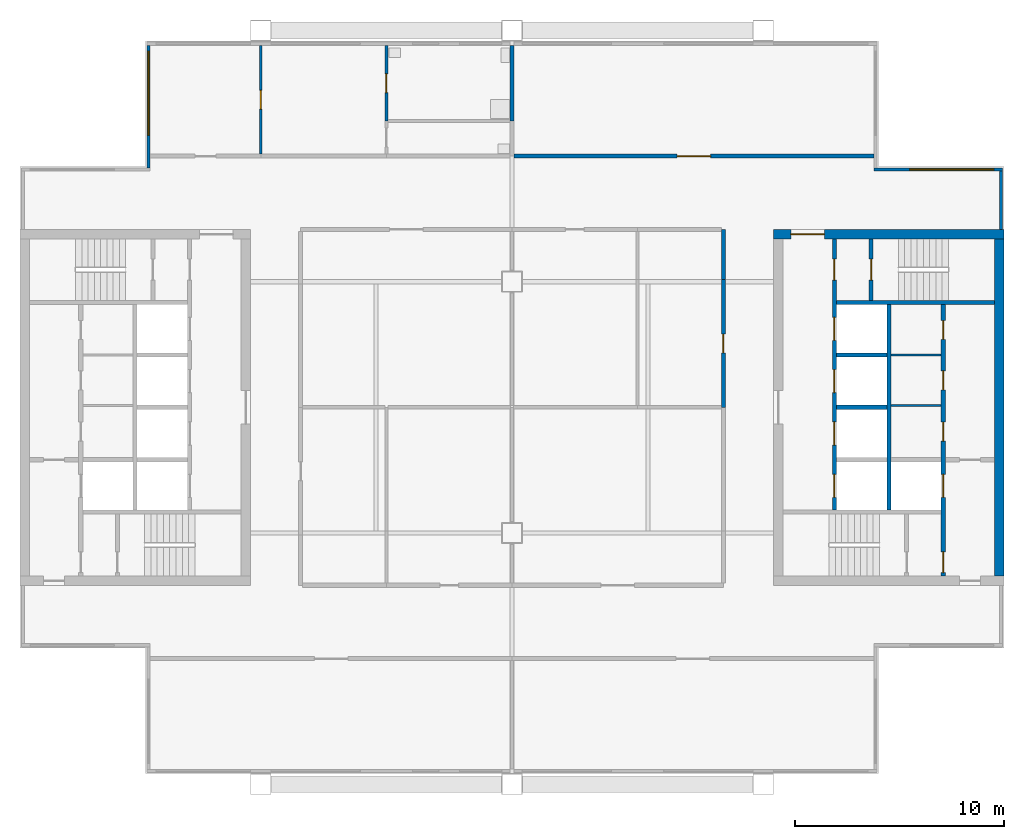
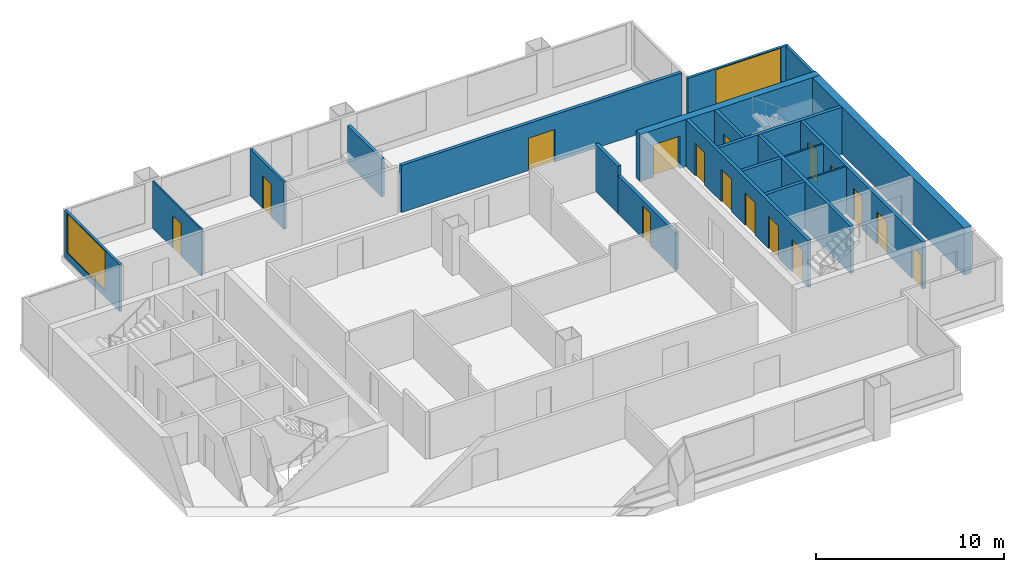
# One storey, part 4 of 7: 20 walls, 16 doors, 2 windows, 18 openings.
"""IFC4 building model written with IfcOpenShell, lengths in metres."""

from ifc_helpers import new_model, si_unit, direction, frame, frame_2d, origin, place, context, subcontext, project, spatial, rectangle, extrude, material, layer, layer_set, type_object, element, fill, save


model = new_model("IFC4")

# Units and contexts
model_context = context("Model", 3, precision=1e-05, world=origin(), true_north=direction((0.0, 1.0)))
body_context = subcontext(model_context, "Body", "Model", "MODEL_VIEW")
ifc_project = project(units=[si_unit("LENGTHUNIT", "METRE"), si_unit("AREAUNIT", "SQUARE_METRE"), si_unit("VOLUMEUNIT", "CUBIC_METRE"), si_unit("PLANEANGLEUNIT", "RADIAN"), si_unit("MASSUNIT", "GRAM", prefix="KILO")], contexts=[model_context])

# Site, building, storey
site_placement = place(None, origin())
site = spatial("IfcSite", under=ifc_project, at=site_placement, CompositionType="ELEMENT")
building_placement = place(site_placement, origin())
building = spatial("IfcBuilding", under=site, at=building_placement, Name="Kitamizu Gate Tower and Museum", CompositionType="ELEMENT")
storey_placement = place(building_placement, frame((0.0, 0.0, 269.699951171875)))
storey = spatial("IfcBuildingStorey", under=building, at=storey_placement, Name="L73", CompositionType="ELEMENT", Elevation=269.699951171875)

# Wall, opening, door
ifc_material_1 = material(Name="Concrete Fc42", Category="concrete")
ifc_layer_1 = layer(ifc_material_1, 0.449951171875)
ifc_layer_set_1 = layer_set([ifc_layer_1], Name="Concrete Fc42")
wall_type_1 = type_object("IfcWallType", Name="Core wall 450 EI 60", PredefinedType="SHEAR", material=ifc_layer_set_1)
wall_1_placement = place(storey_placement, frame((59.5, 38.27490234375, 0.0), z_axis=(0.0, 0.0, 1.0), x_axis=(-1.0, 0.0, 0.0)))
wall_1 = element("IfcWall", 1, at=wall_1_placement, inside=storey, type_object=wall_type_1, Name="Core wall EN", PredefinedType="SHEAR", context=body_context, shape_type="SweptSolid", body=[
    extrude(rectangle(XDim=11.0, YDim=0.449951171875, at=frame_2d((5.5, 0.0))), origin(), (0.0, 0.0, 1.0), 3.050048828125),
])
opening_1_placement = place(wall_1_placement, frame((8.574951171875, 0.0, 0.0)))
opening_1 = element("IfcOpeningElement", 2, at=opening_1_placement, cuts=wall_1, Name="Opening L73-031", PredefinedType="OPENING", context=body_context, shape_type="SweptSolid", body=[
    extrude(rectangle(XDim=1.60009765625, YDim=2.10009765625, at=frame_2d((0.800048828125, 1.050048828125))), frame((0.0, 0.23486328125, 0.0), z_axis=(0.0, -1.0, 0.0), x_axis=(1.0, 0.0, 0.0)), (0.0, 0.0, 1.0), 0.469970703125),
])
ifc_material_2 = material(Name="Timber door set", Category="wood")
door_type_1 = type_object("IfcDoorType", Name="Entrance door 1600", OperationType="DOUBLE_DOOR_SINGLE_SWING", PredefinedType="DOOR", material=ifc_material_2)
door_1_placement = place(opening_1_placement, origin())
door_1 = element("IfcDoor", 3, at=door_1_placement, inside=storey, type_object=door_type_1, Name="Lobby door L73-031", OperationType="DOUBLE_DOOR_SINGLE_SWING", OverallHeight=2.10009765625, OverallWidth=1.60009765625, PredefinedType="DOOR", context=body_context, shape_type="SweptSolid", body=[
    extrude(rectangle(XDim=1.60009765625, YDim=2.10009765625, at=frame_2d((0.800048828125, 1.050048828125))), frame((0.0, 0.02490234375, 0.0), z_axis=(0.0, -1.0, 0.0), x_axis=(1.0, 0.0, 0.0)), (0.0, 0.0, 1.0), 0.050048828125),
])
fill(opening_1, door_1)

# Walls
wall_2_placement = place(storey_placement, frame((59.27490234375, 21.949951171875, 0.0), z_axis=(0.0, 0.0, 1.0), x_axis=(0.0, 1.0, 0.0)))
element("IfcWall", 4, at=wall_2_placement, inside=storey, type_object=wall_type_1, Name="Core wall EOUT", PredefinedType="SHEAR", context=body_context, shape_type="SweptSolid", body=[
    extrude(rectangle(XDim=16.10009765625, YDim=0.449951171875, at=frame_2d((8.050048828125, 0.0))), origin(), (0.0, 0.0, 1.0), 3.050048828125),
])
ifc_material_3 = material(Name="Gypsum board on galvanised stud")
ifc_layer_2 = layer(ifc_material_3, 0.10009765625)
ifc_layer_set_2 = layer_set([ifc_layer_2], Name="Gypsum board on galvanised stud")
wall_type_2 = type_object("IfcWallType", Name="Partition 100", PredefinedType="PARTITIONING", material=ifc_layer_set_2)
for number, where, z_axis, x_axis, name in (
    (5, (56.5, 30.08203125, 0.0), (0.0, 0.0, 1.0), (-1.0, 0.0, 0.0), "Partition EPF1"),
    (6, (56.5, 32.490966796875, 0.0), (0.0, 0.0, 1.0), (-1.0, 0.0, 0.0), "Partition EPF2"),
):
    element("IfcWall", number, at=place(storey_placement, frame(where, z_axis=z_axis, x_axis=x_axis)), inside=storey, type_object=wall_type_2, Name=name, PredefinedType="PARTITIONING", context=body_context, shape_type="SweptSolid", body=[
        extrude(rectangle(XDim=2.39990234375, YDim=0.10009765625, at=frame_2d((1.199951171875, 0.0))), origin(), (0.0, 0.0, 1.0), 3.050048828125),
    ])

# Wall, opening, door
ifc_material_4 = material(Name="Gypsum board on galvanised stud")
ifc_layer_3 = layer(ifc_material_4, 0.10009765625)
ifc_layer_set_3 = layer_set([ifc_layer_3], Name="Gypsum board on galvanised stud")
wall_type_3 = type_object("IfcWallType", Name="Partition 100 NOT RATED", PredefinedType="PARTITIONING", material=ifc_layer_set_3)
wall_3_placement = place(storey_placement, frame((24.0, 42.10009765625, 0.0), z_axis=(0.0, 0.0, 1.0), x_axis=(0.0, 1.0, 0.0)))
wall_3 = element("IfcWall", 7, at=wall_3_placement, inside=storey, type_object=wall_type_3, Name="Partition L73-001", PredefinedType="PARTITIONING", context=body_context, shape_type="SweptSolid", body=[
    extrude(rectangle(XDim=5.179931640625, YDim=0.10009765625, at=frame_2d((2.58984375, 0.0))), origin(), (0.0, 0.0, 1.0), 3.050048828125),
])
opening_2_placement = place(wall_3_placement, frame((2.139892578125, 0.0, 0.0)))
opening_2 = element("IfcOpeningElement", 8, at=opening_2_placement, cuts=wall_3, Name="Opening L73-002", PredefinedType="OPENING", context=body_context, shape_type="SweptSolid", body=[
    extrude(rectangle(XDim=0.89990234375, YDim=2.10009765625, at=frame_2d((0.449951171875, 1.050048828125))), frame((0.0, 0.06005859375, 0.0), z_axis=(0.0, -1.0, 0.0), x_axis=(1.0, 0.0, 0.0)), (0.0, 0.0, 1.0), 0.1201171875),
])
ifc_material_5 = material(Name="Timber door set", Category="wood")
door_type_2 = type_object("IfcDoorType", Name="Room door 900", OperationType="NOTDEFINED", PredefinedType="DOOR", material=ifc_material_5)
door_2_placement = place(opening_2_placement, frame((0.89990234375, 0.0, 0.0), x_axis=(-1.0, 0.0, 0.0)))
door_2 = element("IfcDoor", 9, at=door_2_placement, inside=storey, type_object=door_type_2, Name="Door L73-002", OperationType="SINGLE_SWING_RIGHT", OverallHeight=2.10009765625, OverallWidth=0.89990234375, PredefinedType="DOOR", context=body_context, shape_type="SweptSolid", body=[
    extrude(rectangle(XDim=0.89990234375, YDim=2.10009765625, at=frame_2d((0.449951171875, 1.050048828125))), frame((0.0, 0.02490234375, 0.0), z_axis=(0.0, -1.0, 0.0), x_axis=(1.0, 0.0, 0.0)), (0.0, 0.0, 1.0), 0.050048828125),
])
fill(opening_2, door_2)

ifc_material_6 = material(Name="Gypsum board on galvanised stud")
ifc_layer_4 = layer(ifc_material_6, 0.14990234375)
ifc_layer_set_4 = layer_set([ifc_layer_4], Name="Gypsum board on galvanised stud")
wall_type_4 = type_object("IfcWallType", Name="Partition 150", PredefinedType="PARTITIONING", material=ifc_layer_set_4)
wall_4_placement = place(storey_placement, frame((30.0, 43.679931640625, 0.0), z_axis=(0.0, 0.0, 1.0), x_axis=(0.0, 1.0, 0.0)))
wall_4 = element("IfcWall", 10, at=wall_4_placement, inside=storey, type_object=wall_type_4, Name="Partition L73-003", PredefinedType="PARTITIONING", context=body_context, shape_type="SweptSolid", body=[
    extrude(rectangle(XDim=3.60009765625, YDim=0.14990234375, at=frame_2d((1.800048828125, 0.0))), origin(), (0.0, 0.0, 1.0), 3.050048828125),
])
opening_3_placement = place(wall_4_placement, frame((1.35009765625, 0.0, 0.0)))
opening_3 = element("IfcOpeningElement", 11, at=opening_3_placement, cuts=wall_4, Name="Opening L73-003", PredefinedType="OPENING", context=body_context, shape_type="SweptSolid", body=[
    extrude(rectangle(XDim=0.89990234375, YDim=2.10009765625, at=frame_2d((0.449951171875, 1.050048828125))), frame((0.0, 0.0849609375, 0.0), z_axis=(0.0, -1.0, 0.0), x_axis=(1.0, 0.0, 0.0)), (0.0, 0.0, 1.0), 0.169921875),
])
ifc_material_7 = material(Name="Timber door set", Category="wood")
door_type_3 = type_object("IfcDoorType", Name="Bathroom door 900", OperationType="NOTDEFINED", PredefinedType="DOOR", material=ifc_material_7)
door_3_placement = place(opening_3_placement, frame((0.89990234375, 0.0, 0.0), x_axis=(-1.0, 0.0, 0.0)))
door_3 = element("IfcDoor", 12, at=door_3_placement, inside=storey, type_object=door_type_3, Name="Bathroom door L73-003", OperationType="SINGLE_SWING_LEFT", OverallHeight=2.10009765625, OverallWidth=0.89990234375, PredefinedType="DOOR", context=body_context, shape_type="SweptSolid", body=[
    extrude(rectangle(XDim=0.89990234375, YDim=2.10009765625, at=frame_2d((0.449951171875, 1.050048828125))), frame((0.0, 0.02490234375, 0.0), z_axis=(0.0, -1.0, 0.0), x_axis=(1.0, 0.0, 0.0)), (0.0, 0.0, 1.0), 0.050048828125),
])
fill(opening_3, door_3)

# Wall
ifc_material_8 = material(Name="Gypsum board on galvanised stud")
ifc_layer_5 = layer(ifc_material_8, 0.199951171875)
ifc_layer_set_5 = layer_set([ifc_layer_5], Name="Gypsum board on galvanised stud")
wall_type_5 = type_object("IfcWallType", Name="Partition 200", PredefinedType="PARTITIONING", material=ifc_layer_set_5)
wall_5_placement = place(storey_placement, frame((36.0, 43.679931640625, 0.0), z_axis=(0.0, 0.0, 1.0), x_axis=(0.0, 1.0, 0.0)))
element("IfcWall", 13, at=wall_5_placement, inside=storey, type_object=wall_type_5, Name="Partition L73-007", PredefinedType="PARTITIONING", context=body_context, shape_type="SweptSolid", body=[
    extrude(rectangle(XDim=3.60009765625, YDim=0.199951171875, at=frame_2d((1.800048828125, 0.0))), origin(), (0.0, 0.0, 1.0), 2.449951171875),
])

# Wall, opening, door
wall_6_placement = place(storey_placement, frame((36.10009765625, 42.0, 0.0), z_axis=(0.0, 0.0, 1.0), x_axis=(1.0, 0.0, 0.0)))
wall_6 = element("IfcWall", 14, at=wall_6_placement, inside=storey, type_object=wall_type_5, Name="Partition L73-010", PredefinedType="PARTITIONING", context=body_context, shape_type="SweptSolid", body=[
    extrude(rectangle(XDim=17.179931640625, YDim=0.199951171875, at=frame_2d((8.58984375, 0.0))), origin(), (0.0, 0.0, 1.0), 3.050048828125),
])
opening_4_placement = place(wall_6_placement, frame((7.7900390625, 0.0, 0.0)))
opening_4 = element("IfcOpeningElement", 15, at=opening_4_placement, cuts=wall_6, Name="Opening L73-005", PredefinedType="OPENING", context=body_context, shape_type="SweptSolid", body=[
    extrude(rectangle(XDim=1.60009765625, YDim=2.10009765625, at=frame_2d((0.800048828125, 1.050048828125))), frame((0.0, 0.10986328125, 0.0), z_axis=(0.0, -1.0, 0.0), x_axis=(1.0, 0.0, 0.0)), (0.0, 0.0, 1.0), 0.219970703125),
])
ifc_material_9 = material(Name="Timber door set", Category="wood")
door_type_4 = type_object("IfcDoorType", Name="Double door 1600", OperationType="DOUBLE_DOOR_SINGLE_SWING", PredefinedType="DOOR", material=ifc_material_9)
door_4_placement = place(opening_4_placement, origin())
door_4 = element("IfcDoor", 16, at=door_4_placement, inside=storey, type_object=door_type_4, Name="Double door L73-005", OperationType="DOUBLE_DOOR_SINGLE_SWING", OverallHeight=2.10009765625, OverallWidth=1.60009765625, PredefinedType="DOOR", context=body_context, shape_type="SweptSolid", body=[
    extrude(rectangle(XDim=1.60009765625, YDim=2.10009765625, at=frame_2d((0.800048828125, 1.050048828125))), frame((0.0, 0.02490234375, 0.0), z_axis=(0.0, -1.0, 0.0), x_axis=(1.0, 0.0, 0.0)), (0.0, 0.0, 1.0), 0.050048828125),
])
fill(opening_4, door_4)

wall_7_placement = place(storey_placement, frame((46.10009765625, 30.0, 0.0), z_axis=(0.0, 0.0, 1.0), x_axis=(0.0, 1.0, 0.0)))
wall_7 = element("IfcWall", 17, at=wall_7_placement, inside=storey, type_object=wall_type_5, Name="Partition L73-025", PredefinedType="PARTITIONING", context=body_context, shape_type="SweptSolid", body=[
    extrude(rectangle(XDim=6.10009765625, YDim=0.199951171875, at=frame_2d((3.050048828125, 0.0))), origin(), (0.0, 0.0, 1.0), 2.449951171875),
])
opening_5_placement = place(wall_7_placement, frame((2.60009765625, 0.0, 0.0)))
opening_5 = element("IfcOpeningElement", 18, at=opening_5_placement, cuts=wall_7, Name="Opening L73-013", PredefinedType="OPENING", context=body_context, shape_type="SweptSolid", body=[
    extrude(rectangle(XDim=0.89990234375, YDim=2.10009765625, at=frame_2d((0.449951171875, 1.050048828125))), frame((0.0, 0.10986328125, 0.0), z_axis=(0.0, -1.0, 0.0), x_axis=(1.0, 0.0, 0.0)), (0.0, 0.0, 1.0), 0.219970703125),
])
door_5_placement = place(opening_5_placement, origin())
door_5 = element("IfcDoor", 19, at=door_5_placement, inside=storey, type_object=door_type_2, Name="Door L73-013", OperationType="SINGLE_SWING_LEFT", OverallHeight=2.10009765625, OverallWidth=0.89990234375, PredefinedType="DOOR", context=body_context, shape_type="SweptSolid", body=[
    extrude(rectangle(XDim=0.89990234375, YDim=2.10009765625, at=frame_2d((0.449951171875, 1.050048828125))), frame((0.0, 0.02490234375, 0.0), z_axis=(0.0, -1.0, 0.0), x_axis=(1.0, 0.0, 0.0)), (0.0, 0.0, 1.0), 0.050048828125),
])
fill(opening_5, door_5)

# Wall
wall_8_placement = place(storey_placement, frame((46.10009765625, 36.10009765625, 0.0), z_axis=(0.0, 0.0, 1.0), x_axis=(0.0, 1.0, 0.0)))
element("IfcWall", 20, at=wall_8_placement, inside=storey, type_object=wall_type_5, Name="Partition L73-026", PredefinedType="PARTITIONING", context=body_context, shape_type="SweptSolid", body=[
    extrude(rectangle(XDim=2.39990234375, YDim=0.199951171875, at=frame_2d((1.199951171875, 0.0))), origin(), (0.0, 0.0, 1.0), 3.050048828125),
])

# Wall, openings, doors
ifc_material_10 = material(Name="Concrete Fc42", Category="concrete")
ifc_layer_6 = layer(ifc_material_10, 0.199951171875)
ifc_layer_set_6 = layer_set([ifc_layer_6], Name="Concrete Fc42")
wall_type_6 = type_object("IfcWallType", Name="Shaft wall 200", PredefinedType="SOLIDWALL", material=ifc_layer_set_6)
wall_9_placement = place(storey_placement, frame((56.60009765625, 21.949951171875, 0.0), z_axis=(0.0, 0.0, 1.0), x_axis=(0.0, 1.0, 0.0)))
wall_9 = element("IfcWall", 21, at=wall_9_placement, inside=storey, type_object=wall_type_6, Name="Shaft wall EWEST", PredefinedType="SOLIDWALL", context=body_context, shape_type="SweptSolid", body=[
    extrude(rectangle(XDim=12.949951171875, YDim=0.199951171875, at=frame_2d((6.47509765625, 0.0))), origin(), (0.0, 0.0, 1.0), 3.050048828125),
])
opening_6_placement = place(wall_9_placement, frame((3.75, 0.0, 0.0)))
opening_6 = element("IfcOpeningElement", 22, at=opening_6_placement, cuts=wall_9, Name="Opening LD", PredefinedType="OPENING", context=body_context, shape_type="SweptSolid", body=[
    extrude(rectangle(XDim=1.10009765625, YDim=2.10009765625, at=frame_2d((0.550048828125, 1.050048828125))), frame((0.0, 0.10986328125, 0.0), z_axis=(0.0, -1.0, 0.0), x_axis=(1.0, 0.0, 0.0)), (0.0, 0.0, 1.0), 0.219970703125),
])
opening_7_placement = place(wall_9_placement, frame((0.14990234375, 0.0, 0.0)))
opening_7 = element("IfcOpeningElement", 23, at=opening_7_placement, cuts=wall_9, Name="Opening L73-026", PredefinedType="OPENING", context=body_context, shape_type="SweptSolid", body=[
    extrude(rectangle(XDim=1.0, YDim=2.10009765625, at=frame_2d((0.5, 1.050048828125))), frame((0.0, 0.10986328125, 0.0), z_axis=(0.0, -1.0, 0.0), x_axis=(1.0, 0.0, 0.0)), (0.0, 0.0, 1.0), 0.219970703125),
])
opening_8_placement = place(wall_9_placement, frame((6.44091796875, 0.0, 0.0)))
opening_8 = element("IfcOpeningElement", 24, at=opening_8_placement, cuts=wall_9, Name="Opening L73-033", PredefinedType="OPENING", context=body_context, shape_type="SweptSolid", body=[
    extrude(rectangle(XDim=0.89990234375, YDim=2.10009765625, at=frame_2d((0.449951171875, 1.050048828125))), frame((0.0, 0.10986328125, 0.0), z_axis=(0.0, -1.0, 0.0), x_axis=(1.0, 0.0, 0.0)), (0.0, 0.0, 1.0), 0.219970703125),
])
opening_9_placement = place(wall_9_placement, frame((8.886474609375, 0.0, 0.0)))
opening_9 = element("IfcOpeningElement", 25, at=opening_9_placement, cuts=wall_9, Name="Opening L73-034", PredefinedType="OPENING", context=body_context, shape_type="SweptSolid", body=[
    extrude(rectangle(XDim=0.89990234375, YDim=2.10009765625, at=frame_2d((0.449951171875, 1.050048828125))), frame((0.0, 0.10986328125, 0.0), z_axis=(0.0, -1.0, 0.0), x_axis=(1.0, 0.0, 0.0)), (0.0, 0.0, 1.0), 0.219970703125),
])
opening_10_placement = place(wall_9_placement, frame((11.29541015625, 0.0, 0.0)))
opening_10 = element("IfcOpeningElement", 26, at=opening_10_placement, cuts=wall_9, Name="Opening L73-035", PredefinedType="OPENING", context=body_context, shape_type="SweptSolid", body=[
    extrude(rectangle(XDim=0.89990234375, YDim=2.10009765625, at=frame_2d((0.449951171875, 1.050048828125))), frame((0.0, 0.10986328125, 0.0), z_axis=(0.0, -1.0, 0.0), x_axis=(1.0, 0.0, 0.0)), (0.0, 0.0, 1.0), 0.219970703125),
])
ifc_material_11 = material(Name="Hollow metal door set")
door_type_5 = type_object("IfcDoorType", Name="Fire door 1000", OperationType="NOTDEFINED", PredefinedType="DOOR", material=ifc_material_11)
door_6_placement = place(opening_7_placement, origin())
door_6 = element("IfcDoor", 27, at=door_6_placement, inside=storey, type_object=door_type_5, Name="Stair lobby door L73-026", OperationType="SINGLE_SWING_RIGHT", OverallHeight=2.10009765625, OverallWidth=1.0, PredefinedType="DOOR", context=body_context, shape_type="SweptSolid", body=[
    extrude(rectangle(XDim=1.0, YDim=2.10009765625, at=frame_2d((0.5, 1.050048828125))), frame((0.0, 0.02490234375, 0.0), z_axis=(0.0, -1.0, 0.0), x_axis=(1.0, 0.0, 0.0)), (0.0, 0.0, 1.0), 0.050048828125),
])
fill(opening_7, door_6)
ifc_material_12 = material(Name="Hollow metal door set")
door_type_6 = type_object("IfcDoorType", Name="Landing door 1100", OperationType="SLIDING_TO_LEFT", PredefinedType="DOOR", material=ifc_material_12)
door_7_placement = place(opening_6_placement, origin())
door_7 = element("IfcDoor", 28, at=door_7_placement, inside=storey, type_object=door_type_6, Name="Landing door EFF1", OperationType="SLIDING_TO_LEFT", OverallHeight=2.10009765625, OverallWidth=1.10009765625, PredefinedType="DOOR", context=body_context, shape_type="SweptSolid", body=[
    extrude(rectangle(XDim=1.10009765625, YDim=2.10009765625, at=frame_2d((0.550048828125, 1.050048828125))), frame((0.0, 0.02490234375, 0.0), z_axis=(0.0, -1.0, 0.0), x_axis=(1.0, 0.0, 0.0)), (0.0, 0.0, 1.0), 0.050048828125),
])
fill(opening_6, door_7)
ifc_material_13 = material(Name="Timber door set", Category="wood")
door_type_7 = type_object("IfcDoorType", Name="Service door 900", OperationType="NOTDEFINED", PredefinedType="DOOR", material=ifc_material_13)
door_8_placement = place(opening_8_placement, origin())
door_8 = element("IfcDoor", 29, at=door_8_placement, inside=storey, type_object=door_type_7, Name="Service door L73-033", OperationType="SINGLE_SWING_LEFT", OverallHeight=2.10009765625, OverallWidth=0.89990234375, PredefinedType="DOOR", context=body_context, shape_type="SweptSolid", body=[
    extrude(rectangle(XDim=0.89990234375, YDim=2.10009765625, at=frame_2d((0.449951171875, 1.050048828125))), frame((0.0, 0.02490234375, 0.0), z_axis=(0.0, -1.0, 0.0), x_axis=(1.0, 0.0, 0.0)), (0.0, 0.0, 1.0), 0.050048828125),
])
fill(opening_8, door_8)
door_9_placement = place(opening_9_placement, origin())
door_9 = element("IfcDoor", 30, at=door_9_placement, inside=storey, type_object=door_type_7, Name="Service door L73-034", OperationType="SINGLE_SWING_RIGHT", OverallHeight=2.10009765625, OverallWidth=0.89990234375, PredefinedType="DOOR", context=body_context, shape_type="SweptSolid", body=[
    extrude(rectangle(XDim=0.89990234375, YDim=2.10009765625, at=frame_2d((0.449951171875, 1.050048828125))), frame((0.0, 0.02490234375, 0.0), z_axis=(0.0, -1.0, 0.0), x_axis=(1.0, 0.0, 0.0)), (0.0, 0.0, 1.0), 0.050048828125),
])
fill(opening_9, door_9)
door_10_placement = place(opening_10_placement, origin())
door_10 = element("IfcDoor", 31, at=door_10_placement, inside=storey, type_object=door_type_7, Name="Service door L73-035", OperationType="SINGLE_SWING_LEFT", OverallHeight=2.10009765625, OverallWidth=0.89990234375, PredefinedType="DOOR", context=body_context, shape_type="SweptSolid", body=[
    extrude(rectangle(XDim=0.89990234375, YDim=2.10009765625, at=frame_2d((0.449951171875, 1.050048828125))), frame((0.0, 0.02490234375, 0.0), z_axis=(0.0, -1.0, 0.0), x_axis=(1.0, 0.0, 0.0)), (0.0, 0.0, 1.0), 0.050048828125),
])
fill(opening_10, door_10)

wall_10_placement = place(storey_placement, frame((51.39990234375, 25.10009765625, 0.0), z_axis=(0.0, 0.0, 1.0), x_axis=(0.0, 1.0, 0.0)))
wall_10 = element("IfcWall", 32, at=wall_10_placement, inside=storey, type_object=wall_type_6, Name="Shaft wall EEAST", PredefinedType="SOLIDWALL", context=body_context, shape_type="SweptSolid", body=[
    extrude(rectangle(XDim=12.949951171875, YDim=0.199951171875, at=frame_2d((6.47509765625, 0.0))), origin(), (0.0, 0.0, 1.0), 3.050048828125),
])
opening_11_placement = place(wall_10_placement, frame((0.60009765625, 0.0, 0.0)))
opening_11 = element("IfcOpeningElement", 33, at=opening_11_placement, cuts=wall_10, Name="Opening LD", PredefinedType="OPENING", context=body_context, shape_type="SweptSolid", body=[
    extrude(rectangle(XDim=1.10009765625, YDim=2.10009765625, at=frame_2d((0.550048828125, 1.050048828125))), frame((0.0, 0.10986328125, 0.0), z_axis=(0.0, -1.0, 0.0), x_axis=(1.0, 0.0, 0.0)), (0.0, 0.0, 1.0), 0.219970703125),
])
opening_12_placement = place(wall_10_placement, frame((3.10009765625, 0.0, 0.0)))
opening_12 = element("IfcOpeningElement", 34, at=opening_12_placement, cuts=wall_10, Name="Opening LD", PredefinedType="OPENING", context=body_context, shape_type="SweptSolid", body=[
    extrude(rectangle(XDim=1.10009765625, YDim=2.10009765625, at=frame_2d((0.550048828125, 1.050048828125))), frame((0.0, 0.10986328125, 0.0), z_axis=(0.0, -1.0, 0.0), x_axis=(1.0, 0.0, 0.0)), (0.0, 0.0, 1.0), 0.219970703125),
])
opening_13_placement = place(wall_10_placement, frame((5.60009765625, 0.0, 0.0)))
opening_13 = element("IfcOpeningElement", 35, at=opening_13_placement, cuts=wall_10, Name="Opening LD", PredefinedType="OPENING", context=body_context, shape_type="SweptSolid", body=[
    extrude(rectangle(XDim=1.10009765625, YDim=2.10009765625, at=frame_2d((0.550048828125, 1.050048828125))), frame((0.0, 0.10986328125, 0.0), z_axis=(0.0, -1.0, 0.0), x_axis=(1.0, 0.0, 0.0)), (0.0, 0.0, 1.0), 0.219970703125),
])
opening_14_placement = place(wall_10_placement, frame((8.10009765625, 0.0, 0.0)))
opening_14 = element("IfcOpeningElement", 36, at=opening_14_placement, cuts=wall_10, Name="Opening LD", PredefinedType="OPENING", context=body_context, shape_type="SweptSolid", body=[
    extrude(rectangle(XDim=1.10009765625, YDim=2.10009765625, at=frame_2d((0.550048828125, 1.050048828125))), frame((0.0, 0.10986328125, 0.0), z_axis=(0.0, -1.0, 0.0), x_axis=(1.0, 0.0, 0.0)), (0.0, 0.0, 1.0), 0.219970703125),
])
opening_15_placement = place(wall_10_placement, frame((10.97509765625, 0.0, 0.0)))
opening_15 = element("IfcOpeningElement", 37, at=opening_15_placement, cuts=wall_10, Name="Opening L73-027", PredefinedType="OPENING", context=body_context, shape_type="SweptSolid", body=[
    extrude(rectangle(XDim=1.0, YDim=2.10009765625, at=frame_2d((0.5, 1.050048828125))), frame((0.0, 0.10986328125, 0.0), z_axis=(0.0, -1.0, 0.0), x_axis=(1.0, 0.0, 0.0)), (0.0, 0.0, 1.0), 0.219970703125),
])
door_11_placement = place(opening_15_placement, frame((1.0, 0.0, 0.0), x_axis=(-1.0, 0.0, 0.0)))
door_11 = element("IfcDoor", 38, at=door_11_placement, inside=storey, type_object=door_type_5, Name="Stair lobby door L73-027", OperationType="SINGLE_SWING_RIGHT", OverallHeight=2.10009765625, OverallWidth=1.0, PredefinedType="DOOR", context=body_context, shape_type="SweptSolid", body=[
    extrude(rectangle(XDim=1.0, YDim=2.10009765625, at=frame_2d((0.5, 1.050048828125))), frame((0.0, 0.02490234375, 0.0), z_axis=(0.0, -1.0, 0.0), x_axis=(1.0, 0.0, 0.0)), (0.0, 0.0, 1.0), 0.050048828125),
])
fill(opening_15, door_11)
door_12_placement = place(opening_11_placement, origin())
door_12 = element("IfcDoor", 39, at=door_12_placement, inside=storey, type_object=door_type_6, Name="Landing door ESV1", OperationType="SLIDING_TO_LEFT", OverallHeight=2.10009765625, OverallWidth=1.10009765625, PredefinedType="DOOR", context=body_context, shape_type="SweptSolid", body=[
    extrude(rectangle(XDim=1.10009765625, YDim=2.10009765625, at=frame_2d((0.550048828125, 1.050048828125))), frame((0.0, 0.02490234375, 0.0), z_axis=(0.0, -1.0, 0.0), x_axis=(1.0, 0.0, 0.0)), (0.0, 0.0, 1.0), 0.050048828125),
])
fill(opening_11, door_12)
door_13_placement = place(opening_12_placement, origin())
door_13 = element("IfcDoor", 40, at=door_13_placement, inside=storey, type_object=door_type_6, Name="Landing door EH1", OperationType="SLIDING_TO_LEFT", OverallHeight=2.10009765625, OverallWidth=1.10009765625, PredefinedType="DOOR", context=body_context, shape_type="SweptSolid", body=[
    extrude(rectangle(XDim=1.10009765625, YDim=2.10009765625, at=frame_2d((0.550048828125, 1.050048828125))), frame((0.0, 0.02490234375, 0.0), z_axis=(0.0, -1.0, 0.0), x_axis=(1.0, 0.0, 0.0)), (0.0, 0.0, 1.0), 0.050048828125),
])
fill(opening_12, door_13)
door_14_placement = place(opening_13_placement, origin())
door_14 = element("IfcDoor", 41, at=door_14_placement, inside=storey, type_object=door_type_6, Name="Landing door EH2", OperationType="SLIDING_TO_LEFT", OverallHeight=2.10009765625, OverallWidth=1.10009765625, PredefinedType="DOOR", context=body_context, shape_type="SweptSolid", body=[
    extrude(rectangle(XDim=1.10009765625, YDim=2.10009765625, at=frame_2d((0.550048828125, 1.050048828125))), frame((0.0, 0.02490234375, 0.0), z_axis=(0.0, -1.0, 0.0), x_axis=(1.0, 0.0, 0.0)), (0.0, 0.0, 1.0), 0.050048828125),
])
fill(opening_13, door_14)
door_15_placement = place(opening_14_placement, origin())
door_15 = element("IfcDoor", 42, at=door_15_placement, inside=storey, type_object=door_type_6, Name="Landing door EH3", OperationType="SLIDING_TO_LEFT", OverallHeight=2.10009765625, OverallWidth=1.10009765625, PredefinedType="DOOR", context=body_context, shape_type="SweptSolid", body=[
    extrude(rectangle(XDim=1.10009765625, YDim=2.10009765625, at=frame_2d((0.550048828125, 1.050048828125))), frame((0.0, 0.02490234375, 0.0), z_axis=(0.0, -1.0, 0.0), x_axis=(1.0, 0.0, 0.0)), (0.0, 0.0, 1.0), 0.050048828125),
])
fill(opening_14, door_15)

# Walls
wall_11_placement = place(storey_placement, frame((54.0, 25.10009765625, 0.0), z_axis=(0.0, 0.0, 1.0), x_axis=(0.0, 1.0, 0.0)))
element("IfcWall", 43, at=wall_11_placement, inside=storey, type_object=wall_type_6, Name="Shaft wall EMID", PredefinedType="SOLIDWALL", context=body_context, shape_type="SweptSolid", body=[
    extrude(rectangle(XDim=9.7998046875, YDim=0.199951171875, at=frame_2d((4.89990234375, 0.0))), origin(), (0.0, 0.0, 1.0), 3.050048828125),
])
wall_12_placement = place(storey_placement, frame((59.050048828125, 35.0, 0.0), z_axis=(0.0, 0.0, 1.0), x_axis=(-1.0, 0.0, 0.0)))
element("IfcWall", 44, at=wall_12_placement, inside=storey, type_object=wall_type_6, Name="Shaft wall ENB", PredefinedType="SOLIDWALL", context=body_context, shape_type="SweptSolid", body=[
    extrude(rectangle(XDim=7.550048828125, YDim=0.199951171875, at=frame_2d((3.77490234375, 0.0))), origin(), (0.0, 0.0, 1.0), 3.050048828125),
])

# Wall, opening, door
wall_13_placement = place(storey_placement, frame((53.14990234375, 35.10009765625, 0.0), z_axis=(0.0, 0.0, 1.0), x_axis=(0.0, 1.0, 0.0)))
wall_13 = element("IfcWall", 45, at=wall_13_placement, inside=storey, type_object=wall_type_6, Name="Shaft wall ENZ", PredefinedType="SOLIDWALL", context=body_context, shape_type="SweptSolid", body=[
    extrude(rectangle(XDim=2.949951171875, YDim=0.199951171875, at=frame_2d((1.47509765625, 0.0))), origin(), (0.0, 0.0, 1.0), 3.050048828125),
])
opening_16_placement = place(wall_13_placement, frame((0.97509765625, 0.0, 0.0)))
opening_16 = element("IfcOpeningElement", 46, at=opening_16_placement, cuts=wall_13, Name="Opening L73-028", PredefinedType="OPENING", context=body_context, shape_type="SweptSolid", body=[
    extrude(rectangle(XDim=1.0, YDim=2.10009765625, at=frame_2d((0.5, 1.050048828125))), frame((0.0, 0.10986328125, 0.0), z_axis=(0.0, -1.0, 0.0), x_axis=(1.0, 0.0, 0.0)), (0.0, 0.0, 1.0), 0.219970703125),
])
door_16_placement = place(opening_16_placement, frame((1.0, 0.0, 0.0), x_axis=(-1.0, 0.0, 0.0)))
door_16 = element("IfcDoor", 47, at=door_16_placement, inside=storey, type_object=door_type_5, Name="Stair door L73-028", OperationType="SINGLE_SWING_LEFT", OverallHeight=2.10009765625, OverallWidth=1.0, PredefinedType="DOOR", context=body_context, shape_type="SweptSolid", body=[
    extrude(rectangle(XDim=1.0, YDim=2.10009765625, at=frame_2d((0.5, 1.050048828125))), frame((0.0, 0.02490234375, 0.0), z_axis=(0.0, -1.0, 0.0), x_axis=(1.0, 0.0, 0.0)), (0.0, 0.0, 1.0), 0.050048828125),
])
fill(opening_16, door_16)

# Walls
for number, where, z_axis, x_axis, name in (
    (48, (53.89990234375, 30.0, 0.0), (0.0, 0.0, 1.0), (-1.0, 0.0, 0.0), "Shaft wall EDVE1"),
    (49, (53.89990234375, 32.5, 0.0), (0.0, 0.0, 1.0), (-1.0, 0.0, 0.0), "Shaft wall EDVE2"),
):
    element("IfcWall", number, at=place(storey_placement, frame(where, z_axis=z_axis, x_axis=x_axis)), inside=storey, type_object=wall_type_6, Name=name, PredefinedType="SOLIDWALL", context=body_context, shape_type="SweptSolid", body=[
        extrude(rectangle(XDim=2.39990234375, YDim=0.199951171875, at=frame_2d((1.199951171875, 0.0))), origin(), (0.0, 0.0, 1.0), 3.050048828125),
    ])
ifc_material_14 = material(Name="Bronze anodised aluminium frame with insulated spandrel and tinted glass", Category="aluminium")
ifc_layer_7 = layer(ifc_material_14, 0.14990234375)
ifc_layer_set_7 = layer_set([ifc_layer_7], Name="Bronze anodised aluminium frame with insulated spandrel and tinted glass")
wall_type_7 = type_object("IfcWallType", Name="WINDOW WALL 150 BRONZE FRAME EI 30", PredefinedType="ELEMENTEDWALL", material=ifc_layer_set_7)
wall_14_placement = place(storey_placement, frame((59.364990234375, 38.5, 0.0), z_axis=(0.0, 0.0, 1.0), x_axis=(0.0, 1.0, 0.0)))
element("IfcWall", 50, at=wall_14_placement, inside=storey, type_object=wall_type_7, Name="Window wall east L73", PredefinedType="ELEMENTEDWALL", context=body_context, shape_type="SweptSolid", body=[
    extrude(rectangle(XDim=2.7900390625, YDim=0.14990234375, at=frame_2d((1.39501953125, 0.0))), origin(), (0.0, 0.0, 1.0), 3.050048828125),
])

# Wall, opening, window
wall_15_placement = place(storey_placement, frame((53.2900390625, 41.364990234375, 0.0), z_axis=(0.0, 0.0, 1.0), x_axis=(1.0, 0.0, 0.0)))
wall_15 = element("IfcWall", 51, at=wall_15_placement, inside=storey, type_object=wall_type_7, Name="Window wall north L73", PredefinedType="ELEMENTEDWALL", context=body_context, shape_type="SweptSolid", body=[
    extrude(rectangle(XDim=6.14990234375, YDim=0.14990234375, at=frame_2d((3.074951171875, 0.0))), origin(), (0.0, 0.0, 1.0), 3.050048828125),
])
opening_17_placement = place(wall_15_placement, frame((1.7099609375, 0.0, 0.449951171875)))
opening_17 = element("IfcOpeningElement", 52, at=opening_17_placement, cuts=wall_15, Name="Opening W16", PredefinedType="OPENING", context=body_context, shape_type="SweptSolid", body=[
    extrude(rectangle(XDim=4.0, YDim=2.550048828125, at=frame_2d((2.0, 1.27490234375))), frame((0.0, 0.0849609375, 0.0), z_axis=(0.0, -1.0, 0.0), x_axis=(1.0, 0.0, 0.0)), (0.0, 0.0, 1.0), 0.169921875),
])
ifc_material_15 = material(Name="Bronze anodised aluminium frame, tinted triple glazing", Category="aluminium")
window_type = type_object("IfcWindowType", Name="WINDOW 4000 x 2550 SILL 450", PartitioningType="SINGLE_PANEL", PredefinedType="WINDOW", material=ifc_material_15)
window_1_placement = place(opening_17_placement, origin())
window_1 = element("IfcWindow", 53, at=window_1_placement, inside=storey, type_object=window_type, Name="Window W16 L73", OverallHeight=2.550048828125, OverallWidth=4.0, PartitioningType="SINGLE_PANEL", PredefinedType="WINDOW", context=body_context, shape_type="SweptSolid", body=[
    extrude(rectangle(XDim=4.0, YDim=2.550048828125, at=frame_2d((2.0, 1.27490234375))), frame((0.0, 0.030029296875, 0.0), z_axis=(0.0, -1.0, 0.0), x_axis=(1.0, 0.0, 0.0)), (0.0, 0.0, 1.0), 0.06005859375),
])
fill(opening_17, window_1)

wall_16_placement = place(storey_placement, frame((18.635009765625, 41.43994140625, 0.0), z_axis=(0.0, 0.0, 1.0), x_axis=(0.0, 1.0, 0.0)))
wall_16 = element("IfcWall", 54, at=wall_16_placement, inside=storey, type_object=wall_type_7, Name="Window wall west L73", PredefinedType="ELEMENTEDWALL", context=body_context, shape_type="SweptSolid", body=[
    extrude(rectangle(XDim=5.85009765625, YDim=0.14990234375, at=frame_2d((2.925048828125, 0.0))), origin(), (0.0, 0.0, 1.0), 3.050048828125),
])
opening_18_placement = place(wall_16_placement, frame((1.56005859375, 0.0, 0.449951171875)))
opening_18 = element("IfcOpeningElement", 55, at=opening_18_placement, cuts=wall_16, Name="Opening W16", PredefinedType="OPENING", context=body_context, shape_type="SweptSolid", body=[
    extrude(rectangle(XDim=4.0, YDim=2.550048828125, at=frame_2d((2.0, 1.27490234375))), frame((0.0, 0.0849609375, 0.0), z_axis=(0.0, -1.0, 0.0), x_axis=(1.0, 0.0, 0.0)), (0.0, 0.0, 1.0), 0.169921875),
])
window_2_placement = place(opening_18_placement, origin())
window_2 = element("IfcWindow", 56, at=window_2_placement, inside=storey, type_object=window_type, Name="Window W16 L73", OverallHeight=2.550048828125, OverallWidth=4.0, PartitioningType="SINGLE_PANEL", PredefinedType="WINDOW", context=body_context, shape_type="SweptSolid", body=[
    extrude(rectangle(XDim=4.0, YDim=2.550048828125, at=frame_2d((2.0, 1.27490234375))), frame((0.0, 0.030029296875, 0.0), z_axis=(0.0, -1.0, 0.0), x_axis=(1.0, 0.0, 0.0)), (0.0, 0.0, 1.0), 0.06005859375),
])
fill(opening_18, window_2)

save(model, "model.ifc")
